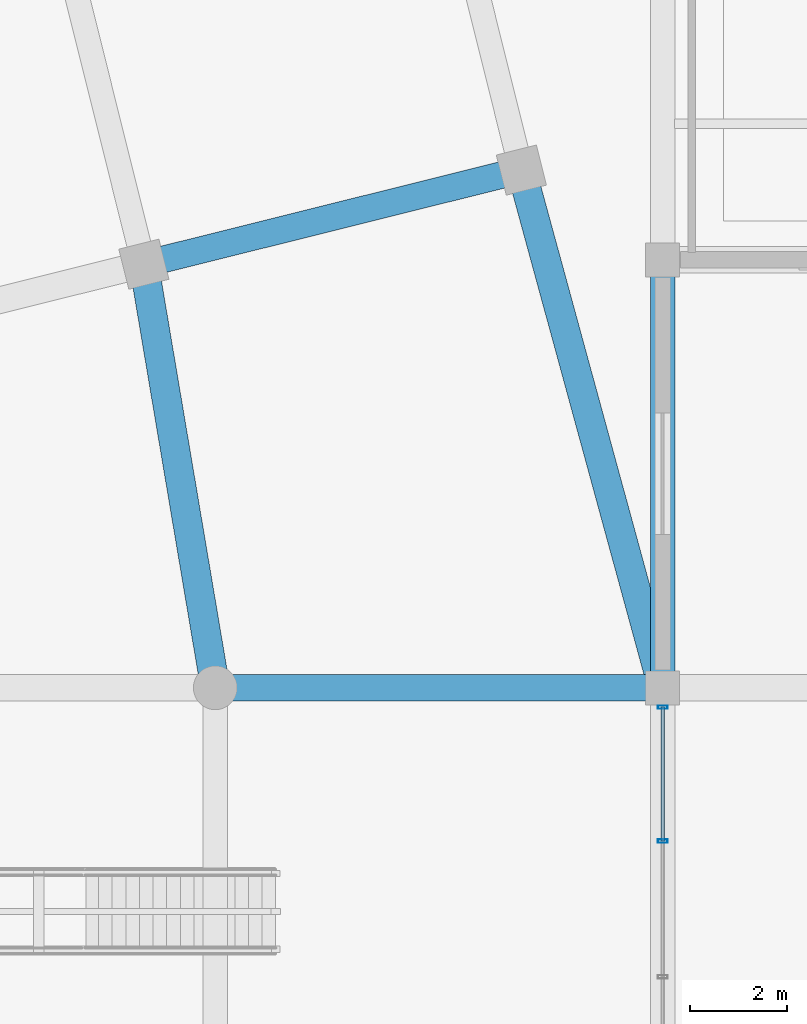
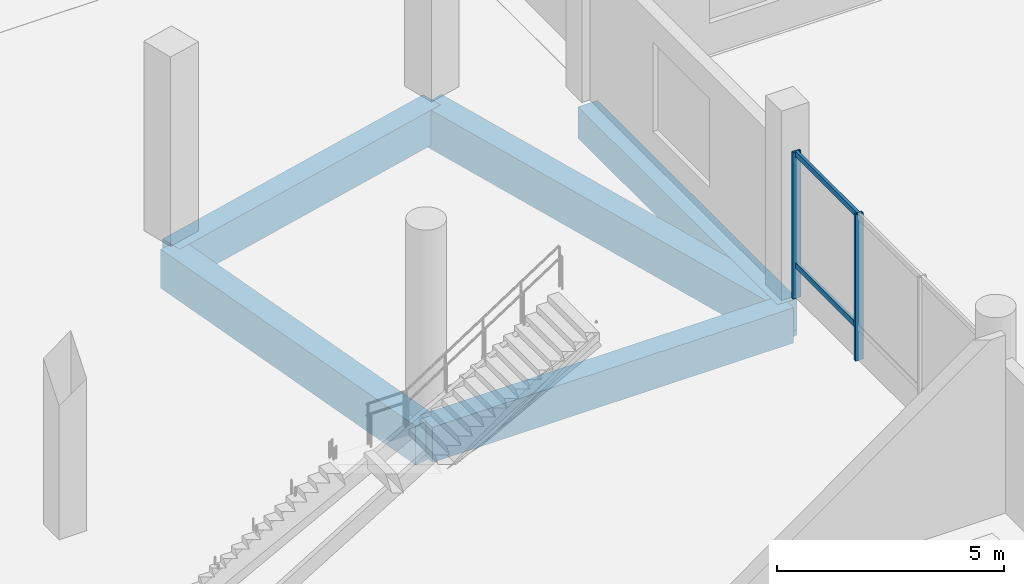
# One storey, part 19 of 73: 5 beams, 4 members, 1 element without a shape of its own.
"""IFC4 building model written with IfcOpenShell, lengths in metres."""

from ifc_helpers import new_model, si_unit, direction, frame, origin, origin_2d, place, context, subcontext, project, spatial, rectangle, hollow_rectangle, extrude, material, layer, layer_set, material_profile, profile_set, type_object, element, aggregate, save


model = new_model("IFC4")

# Units and contexts
model_context = context("Model", 3, precision=1e-05, world=origin(), true_north=direction((0.0, 1.0)))
body_context = subcontext(model_context, "Body", "Model", "MODEL_VIEW")
ifc_project = project(units=[si_unit("LENGTHUNIT", "METRE"), si_unit("AREAUNIT", "SQUARE_METRE"), si_unit("VOLUMEUNIT", "CUBIC_METRE"), si_unit("PLANEANGLEUNIT", "RADIAN"), si_unit("MASSUNIT", "GRAM", prefix="KILO")], contexts=[model_context])

# Site, building, storey
site_placement = place(None, origin())
site = spatial("IfcSite", under=ifc_project, at=site_placement, CompositionType="ELEMENT")
building_placement = place(site_placement, origin())
building = spatial("IfcBuilding", under=site, at=building_placement, Name="Meriwether Solvik Hall", CompositionType="ELEMENT")
storey_placement = place(building_placement, origin())
storey = spatial("IfcBuildingStorey", under=building, at=storey_placement, Name="L00", CompositionType="ELEMENT", Elevation=0.0)

# Beams
ifc_material_1 = material(Name="Concrete C40/50", Category="concrete")
ifc_material_profile_1 = material_profile(ifc_material_1, rectangle(XDim=0.5, YDim=0.85009765625, at=origin_2d()), Name="RCB-500X850")
ifc_profile_set_1 = profile_set([ifc_material_profile_1], Name="Concrete C40/50")
beam_type_1 = type_object("IfcBeamType", Name="BM-RC-500X850", PredefinedType="BEAM", material=ifc_profile_set_1)
beam_1_placement = place(storey_placement, frame((114.199951171875, 41.199951171875, -0.784912109375), z_axis=(0.0, 1.0, 0.0), x_axis=(-1.0, 0.0, 0.0)))
element("IfcBeam", 1, at=beam_1_placement, inside=storey, type_object=beam_type_1, Name="Podium Girder 13:E-F (L00)", PredefinedType="BEAM", context=body_context, shape_type="SweptSolid", body=[
    extrude(rectangle(XDim=0.5, YDim=0.85009765625, at=origin_2d()), origin(), (0.0, 0.0, 1.0), 8.800048828125),
])
ifc_material_2 = material(Name="Concrete C40/50", Category="concrete")
ifc_material_profile_2 = material_profile(ifc_material_2, rectangle(XDim=0.550048828125, YDim=0.949951171875, at=origin_2d()), Name="RCB-550X950")
ifc_profile_set_2 = profile_set([ifc_material_profile_2], Name="Concrete C40/50")
beam_type_2 = type_object("IfcBeamType", Name="BM-RC-550X950", PredefinedType="BEAM", material=ifc_profile_set_2)
beam_2_placement = place(storey_placement, frame((105.0, 41.199951171875, -0.8349609375), z_axis=(1.0, 0.0, 0.0), x_axis=(0.0, 1.0, 0.0)))
element("IfcBeam", 2, at=beam_2_placement, inside=storey, type_object=beam_type_2, Name="Podium Girder E:12-13 (L00)", PredefinedType="BEAM", context=body_context, shape_type="SweptSolid", body=[
    extrude(rectangle(XDim=0.550048828125, YDim=0.949951171875, at=origin_2d()), origin(), (0.0, 0.0, 1.0), 9.199951171875),
])
beam_3_placement = place(storey_placement, frame((103.53076171875, 49.9091796875, -0.8349609375), z_axis=(0.970296689949, 0.241918030485, 0.0), x_axis=(-0.241918030485, 0.970296689949, 0.0)))
element("IfcBeam", 3, at=beam_3_placement, inside=storey, type_object=beam_type_2, Name="Tower Girder TA:T6-T7 (L00)", PredefinedType="BEAM", context=body_context, shape_type="SweptSolid", body=[
    extrude(rectangle(XDim=0.550048828125, YDim=0.949951171875, at=origin_2d()), origin(), (0.0, 0.0, 1.0), 7.999755859375),
])
ifc_material_3 = material(Name="Concrete C40/50", Category="concrete")
ifc_material_profile_3 = material_profile(ifc_material_3, rectangle(XDim=0.60009765625, YDim=1.050048828125, at=origin_2d()), Name="RCB-600X1050")
ifc_profile_set_3 = profile_set([ifc_material_profile_3], Name="Concrete C40/50")
beam_type_3 = type_object("IfcBeamType", Name="BM-RC-600X1050", PredefinedType="BEAM", material=ifc_profile_set_3)
beam_4_placement = place(storey_placement, frame((103.53076171875, 49.9091796875, -0.885009765625), z_axis=(0.166348535765, -0.986067018335, 0.0), x_axis=(0.986067018335, 0.166348535765, 0.0)))
element("IfcBeam", 4, at=beam_4_placement, inside=storey, type_object=beam_type_3, Name="Diaphragm Collector Girder T6/TA-12/E (L00)", PredefinedType="BEAM", context=body_context, shape_type="SweptSolid", body=[
    extrude(rectangle(XDim=0.60009765625, YDim=1.050048828125, at=origin_2d()), origin(), (0.0, 0.0, 1.0), 8.832275390625),
])
beam_5_placement = place(storey_placement, frame((111.29296875, 51.844482421875, -0.885009765625), z_axis=(0.263448762729, -0.964673390022, 0.0), x_axis=(0.964673390022, 0.263448762729, 0.0)))
element("IfcBeam", 5, at=beam_5_placement, inside=storey, type_object=beam_type_3, Name="Diaphragm Collector Girder T7/TA-13/E (L00)", PredefinedType="BEAM", context=body_context, shape_type="SweptSolid", body=[
    extrude(rectangle(XDim=0.60009765625, YDim=1.050048828125, at=origin_2d()), origin(), (0.0, 0.0, 1.0), 11.034423828125),
])

# Curtain wall, members
ifc_material_4 = material(Name="Thermally Broken Anodised Aluminium 6063-T6 and Low-E Glass", Category="aluminium")
ifc_layer = layer(ifc_material_4, 0.179931640625)
ifc_layer_set = layer_set([ifc_layer], Name="Thermally Broken Anodised Aluminium 6063-T6 and Low-E Glass")
curtain_wall_type = type_object("IfcCurtainWallType", Name="CW-SF-POD-A", PredefinedType="USERDEFINED", material=ifc_layer_set)
curtain_wall_placement = place(storey_placement, origin())
curtain_wall = element("IfcCurtainWall", 6, at=curtain_wall_placement, inside=storey, type_object=curtain_wall_type, Name="Curtain Wall wing_Y13_4_62 (L00)", ObjectType="STICK STOREFRONT GLAZING", PredefinedType="USERDEFINED")
ifc_material_5 = material(Name="Anodised Aluminium 6063-T6", Category="aluminium")
ifc_material_profile_4 = material_profile(ifc_material_5, hollow_rectangle(XDim=0.070068359375, YDim=0.199951171875, WallThickness=0.0048828125, at=origin_2d()), Name="CWM-70X200")
ifc_profile_set_4 = profile_set([ifc_material_profile_4], Name="Anodised Aluminium 6063-T6")
member_type_1 = type_object("IfcMemberType", Name="CW-MUL-70X200", PredefinedType="MULLION", material=ifc_profile_set_4)
member_1_placement = place(storey_placement, frame((114.199951171875, 40.800048828125, 0.0), z_axis=(0.0, 0.0, 1.0), x_axis=(0.0, -1.0, 0.0)))
member_1 = element("IfcMember", 7, at=member_1_placement, type_object=member_type_1, Name="Curtain Wall Mullion 1", PredefinedType="MULLION", context=body_context, shape_type="SweptSolid", body=[
    extrude(hollow_rectangle(XDim=0.070068359375, YDim=0.199951171875, WallThickness=0.0048828125, at=origin_2d()), origin(), (0.0, 0.0, 1.0), 3.93994140625),
])
member_2_placement = place(storey_placement, frame((114.199951171875, 38.0458984375, 0.0), z_axis=(0.0, 0.0, 1.0), x_axis=(0.0, -1.0, 0.0)))
member_2 = element("IfcMember", 8, at=member_2_placement, type_object=member_type_1, Name="Curtain Wall Mullion 2", PredefinedType="MULLION", context=body_context, shape_type="SweptSolid", body=[
    extrude(hollow_rectangle(XDim=0.070068359375, YDim=0.199951171875, WallThickness=0.0048828125, at=origin_2d()), origin(), (0.0, 0.0, 1.0), 3.93994140625),
])
ifc_material_6 = material(Name="Anodised Aluminium 6063-T6", Category="aluminium")
ifc_material_profile_5 = material_profile(ifc_material_6, hollow_rectangle(XDim=0.070068359375, YDim=0.14990234375, WallThickness=0.0048828125, at=origin_2d()), Name="CWT-70X150")
ifc_profile_set_5 = profile_set([ifc_material_profile_5], Name="Anodised Aluminium 6063-T6")
member_type_2 = type_object("IfcMemberType", Name="CW-TRN-70X150", PredefinedType="USERDEFINED", material=ifc_profile_set_5)
member_3_placement = place(storey_placement, frame((114.199951171875, 40.800048828125, 0.8798828125), z_axis=(0.0, -1.0, 0.0), x_axis=(1.0, 0.0, 0.0)))
member_3 = element("IfcMember", 9, at=member_3_placement, type_object=member_type_2, Name="Curtain Wall Transom 1-sill", ObjectType="TRANSOM", PredefinedType="USERDEFINED", context=body_context, shape_type="SweptSolid", body=[
    extrude(hollow_rectangle(XDim=0.070068359375, YDim=0.14990234375, WallThickness=0.0048828125, at=origin_2d()), origin(), (0.0, 0.0, 1.0), 2.754150390625),
])
member_4_placement = place(storey_placement, frame((114.199951171875, 40.800048828125, 3.8798828125), z_axis=(0.0, -1.0, 0.0), x_axis=(1.0, 0.0, 0.0)))
member_4 = element("IfcMember", 10, at=member_4_placement, type_object=member_type_2, Name="Curtain Wall Transom 1-head", ObjectType="TRANSOM", PredefinedType="USERDEFINED", context=body_context, shape_type="SweptSolid", body=[
    extrude(hollow_rectangle(XDim=0.070068359375, YDim=0.14990234375, WallThickness=0.0048828125, at=origin_2d()), origin(), (0.0, 0.0, 1.0), 2.754150390625),
])
aggregate(curtain_wall, [member_1, member_2, member_3, member_4])

save(model, "model.ifc")
